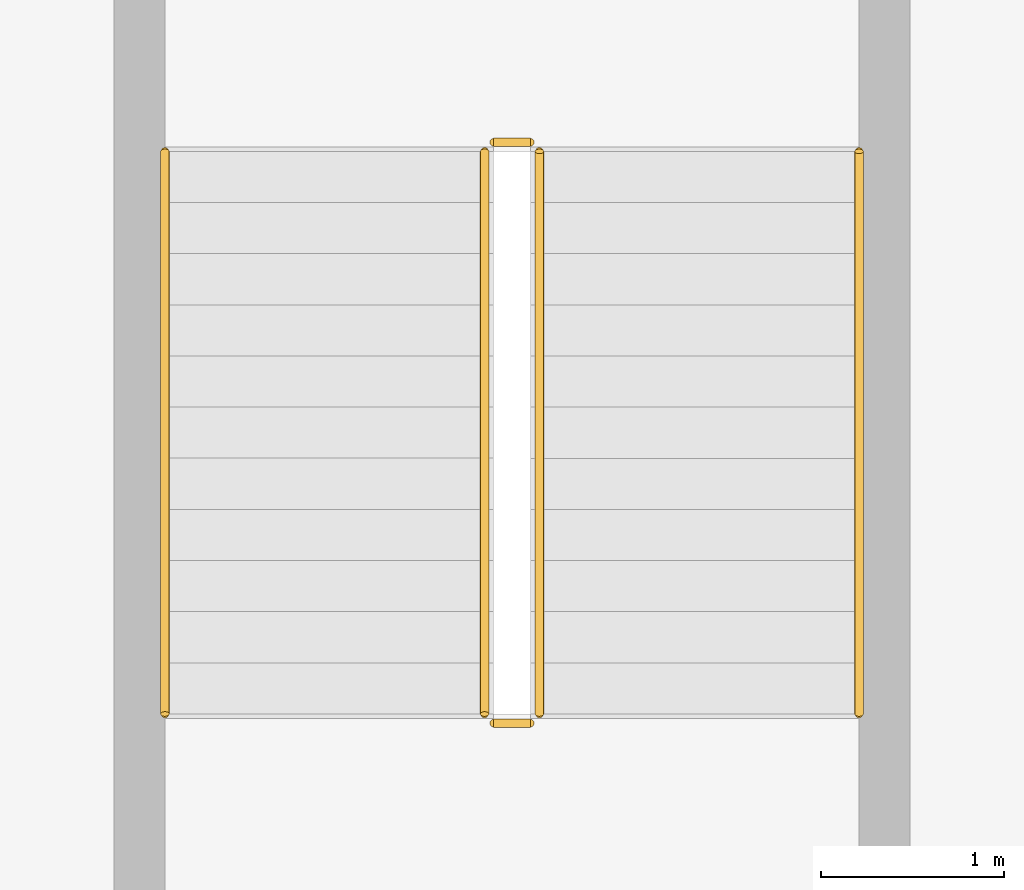
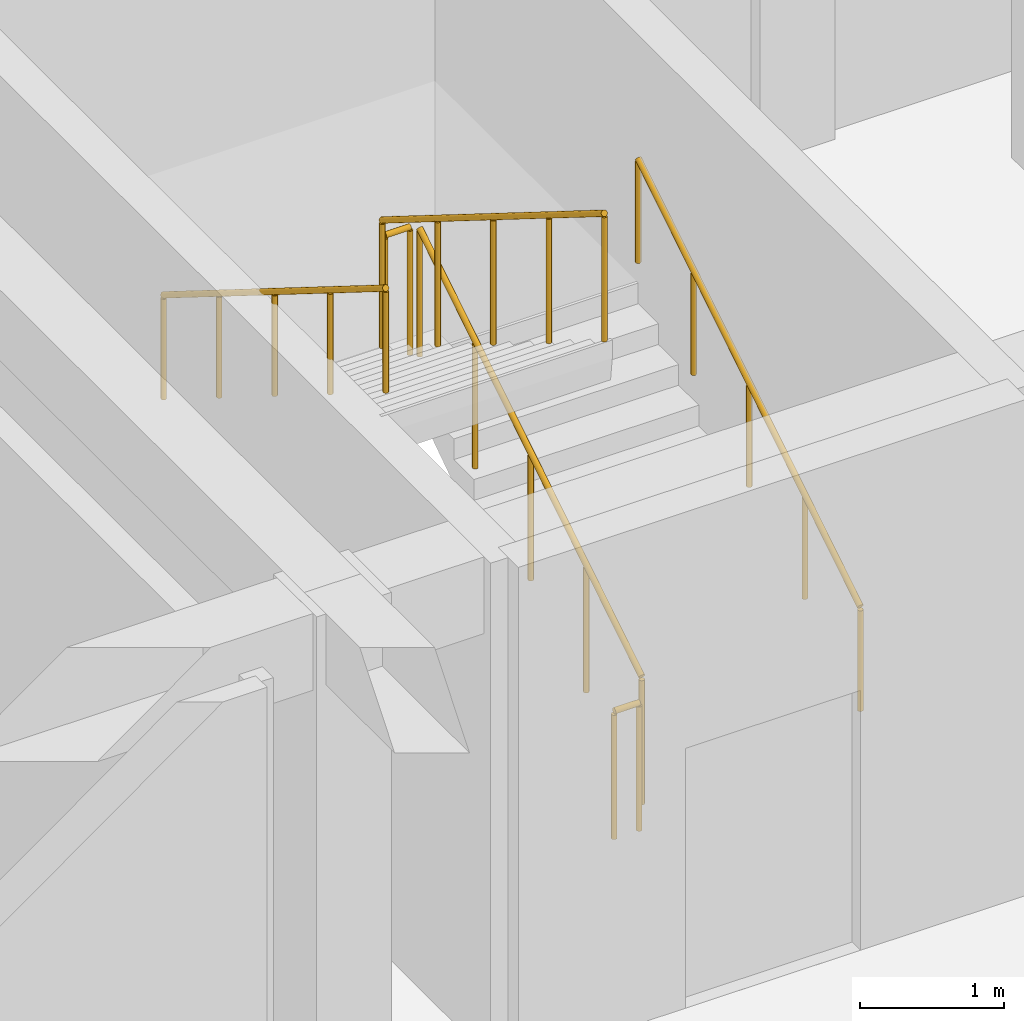
# One storey, part 65 of 77: 6 railings.
"""IFC4 building model written with IfcOpenShell, lengths in metres."""

from ifc_helpers import new_model, si_unit, direction, frame, origin, origin_2d, place, context, subcontext, project, spatial, circle, extrude, material, type_object, element, save


model = new_model("IFC4")

# Units and contexts
model_context = context("Model", 3, precision=1e-05, world=origin(), true_north=direction((0.0, 1.0)))
body_context = subcontext(model_context, "Body", "Model", "MODEL_VIEW")
ifc_project = project(units=[si_unit("LENGTHUNIT", "METRE"), si_unit("AREAUNIT", "SQUARE_METRE"), si_unit("VOLUMEUNIT", "CUBIC_METRE"), si_unit("PLANEANGLEUNIT", "RADIAN"), si_unit("MASSUNIT", "GRAM", prefix="KILO")], contexts=[model_context])

# Site, building, storey
site_placement = place(None, origin())
site = spatial("IfcSite", under=ifc_project, at=site_placement, CompositionType="ELEMENT")
building_placement = place(site_placement, origin())
building = spatial("IfcBuilding", under=site, at=building_placement, Name="Varncliffe General Hospital", CompositionType="ELEMENT")
storey_placement = place(building_placement, frame((0.0, 0.0, 16.199951171875)))
storey = spatial("IfcBuildingStorey", under=building, at=storey_placement, Name="L03", CompositionType="ELEMENT", Elevation=16.199951171875)

# Railings
ifc_material = material(Name="Powder-coated hospital steel guardrail and handrail", Category="steel")
railing_type_1 = type_object("IfcRailingType", Name="Stair and Ramp Handrail HR46", PredefinedType="HANDRAIL", material=ifc_material)
railing_1_placement = place(storey_placement, frame((13.550048828125, 118.0, 0.35400390625)))
element("IfcRailing", 1, at=railing_1_placement, inside=storey, type_object=railing_type_1, Name="L03 ST01 stair handrail 1", PredefinedType="HANDRAIL", context=body_context, shape_type="SweptSolid", body=[
    extrude(circle(Radius=0.02392578125, at=origin_2d()), frame((0.0, 0.0, 0.8759765625), z_axis=(0.0, 0.847998304005, 0.529998940003), x_axis=(-1.0, 0.0, 0.0)), (0.0, 0.0, 1.0), 3.632080078125),
    extrude(circle(Radius=0.02099609375, at=origin_2d()), origin(), (0.0, 0.0, 1.0), 0.851806640625),
    extrude(circle(Radius=0.02099609375, at=origin_2d()), frame((0.0, 0.77001953125, 0.481201171875)), (0.0, 0.0, 1.0), 0.851806640625),
    extrude(circle(Radius=0.02099609375, at=origin_2d()), frame((0.0, 1.5400390625, 0.96240234375)), (0.0, 0.0, 1.0), 0.851806640625),
    extrude(circle(Radius=0.02099609375, at=origin_2d()), frame((0.0, 2.31005859375, 1.44384765625)), (0.0, 0.0, 1.0), 0.851806640625),
    extrude(circle(Radius=0.02099609375, at=origin_2d()), frame((0.0, 3.080078125, 1.925048828125)), (0.0, 0.0, 1.0), 0.851806640625),
])
railing_2_placement = place(storey_placement, frame((9.75, 121.080078125, 2.4541015625)))
element("IfcRailing", 2, at=railing_2_placement, inside=storey, type_object=railing_type_1, Name="L03 ST01 stair handrail 2", PredefinedType="HANDRAIL", context=body_context, shape_type="SweptSolid", body=[
    extrude(circle(Radius=0.02392578125, at=origin_2d()), frame((0.0, 0.0, 0.8759765625), z_axis=(0.0, -0.847998304005, 0.529998940003), x_axis=(1.0, 0.0, 0.0)), (0.0, 0.0, 1.0), 3.632080078125),
    extrude(circle(Radius=0.02099609375, at=origin_2d()), origin(), (0.0, 0.0, 1.0), 0.851806640625),
    extrude(circle(Radius=0.02099609375, at=origin_2d()), frame((0.0, -0.77001953125, 0.481201171875)), (0.0, 0.0, 1.0), 0.851806640625),
    extrude(circle(Radius=0.02099609375, at=origin_2d()), frame((0.0, -1.5400390625, 0.96240234375)), (0.0, 0.0, 1.0), 0.851806640625),
    extrude(circle(Radius=0.02099609375, at=origin_2d()), frame((0.0, -2.31005859375, 1.44384765625)), (0.0, 0.0, 1.0), 0.851806640625),
    extrude(circle(Radius=0.02099609375, at=origin_2d()), frame((0.0, -3.080078125, 1.925048828125)), (0.0, 0.0, 1.0), 0.851806640625),
])
railing_type_2 = type_object("IfcRailingType", Name="Stairwell Guardrail SG49", PredefinedType="GUARDRAIL", material=ifc_material)
railing_3_placement = place(storey_placement, frame((11.800048828125, 118.0, 0.175048828125)))
element("IfcRailing", 3, at=railing_3_placement, inside=storey, type_object=railing_type_2, Name="L03 ST01 stair guard 1", PredefinedType="GUARDRAIL", context=body_context, shape_type="SweptSolid", body=[
    extrude(circle(Radius=0.02392578125, at=origin_2d()), frame((0.0, 0.0, 1.076171875), z_axis=(0.0, 0.847998304005, 0.529998940003), x_axis=(-1.0, 0.0, 0.0)), (0.0, 0.0, 1.0), 3.632080078125),
    extrude(circle(Radius=0.02099609375, at=origin_2d()), origin(), (0.0, 0.0, 1.0), 1.052001953125),
    extrude(circle(Radius=0.02099609375, at=origin_2d()), frame((0.0, 0.77001953125, 0.481201171875)), (0.0, 0.0, 1.0), 1.052001953125),
    extrude(circle(Radius=0.02099609375, at=origin_2d()), frame((0.0, 1.5400390625, 0.96240234375)), (0.0, 0.0, 1.0), 1.052001953125),
    extrude(circle(Radius=0.02099609375, at=origin_2d()), frame((0.0, 2.31005859375, 1.44384765625)), (0.0, 0.0, 1.0), 1.052001953125),
    extrude(circle(Radius=0.02099609375, at=origin_2d()), frame((0.0, 3.080078125, 1.925048828125)), (0.0, 0.0, 1.0), 1.052001953125),
])
railing_4_placement = place(storey_placement, frame((11.75, 121.1298828125, 2.10009765625)))
element("IfcRailing", 4, at=railing_4_placement, inside=storey, type_object=railing_type_2, Name="L03 ST01 stair guard 2", PredefinedType="GUARDRAIL", context=body_context, shape_type="SweptSolid", body=[
    extrude(circle(Radius=0.02392578125, at=origin_2d()), frame((0.0, 0.0, 1.076171875), z_axis=(-1.0, 0.0, 0.0), x_axis=(0.0, -1.0, 0.0)), (0.0, 0.0, 1.0), 0.199951171875),
    extrude(circle(Radius=0.02099609375, at=origin_2d()), origin(), (0.0, 0.0, 1.0), 1.052001953125),
    extrude(circle(Radius=0.02099609375, at=origin_2d()), frame((-0.199951171875, 0.0, 0.0)), (0.0, 0.0, 1.0), 1.052001953125),
])
railing_5_placement = place(storey_placement, frame((11.5, 121.080078125, 2.275146484375)))
element("IfcRailing", 5, at=railing_5_placement, inside=storey, type_object=railing_type_2, Name="L03 ST01 stair guard 3", PredefinedType="GUARDRAIL", context=body_context, shape_type="SweptSolid", body=[
    extrude(circle(Radius=0.02392578125, at=origin_2d()), frame((0.0, 0.0, 1.076171875), z_axis=(0.0, -0.848028513186, 0.529950602248), x_axis=(1.0, 0.0, 0.0)), (0.0, 0.0, 1.0), 3.632080078125),
    extrude(circle(Radius=0.02099609375, at=origin_2d()), origin(), (0.0, 0.0, 1.0), 1.052001953125),
    extrude(circle(Radius=0.02099609375, at=origin_2d()), frame((0.0, -0.77001953125, 0.481201171875)), (0.0, 0.0, 1.0), 1.052001953125),
    extrude(circle(Radius=0.02099609375, at=origin_2d()), frame((0.0, -1.5400390625, 0.96240234375)), (0.0, 0.0, 1.0), 1.052001953125),
    extrude(circle(Radius=0.02099609375, at=origin_2d()), frame((0.0, -2.31005859375, 1.443603515625)), (0.0, 0.0, 1.0), 1.052001953125),
    extrude(circle(Radius=0.02099609375, at=origin_2d()), frame((0.0, -3.080078125, 1.9248046875)), (0.0, 0.0, 1.0), 1.052001953125),
])
railing_6_placement = place(storey_placement, frame((11.75, 117.949951171875, 0.0)))
element("IfcRailing", 6, at=railing_6_placement, inside=storey, type_object=railing_type_2, Name="L03 ST01 stair guard 4", PredefinedType="GUARDRAIL", context=body_context, shape_type="SweptSolid", body=[
    extrude(circle(Radius=0.02392578125, at=origin_2d()), frame((0.0, 0.0, 1.076171875), z_axis=(-1.0, 0.0, 0.0), x_axis=(0.0, -1.0, 0.0)), (0.0, 0.0, 1.0), 0.199951171875),
    extrude(circle(Radius=0.02099609375, at=origin_2d()), origin(), (0.0, 0.0, 1.0), 1.052001953125),
    extrude(circle(Radius=0.02099609375, at=origin_2d()), frame((-0.199951171875, 0.0, 0.0)), (0.0, 0.0, 1.0), 1.052001953125),
])

save(model, "model.ifc")
